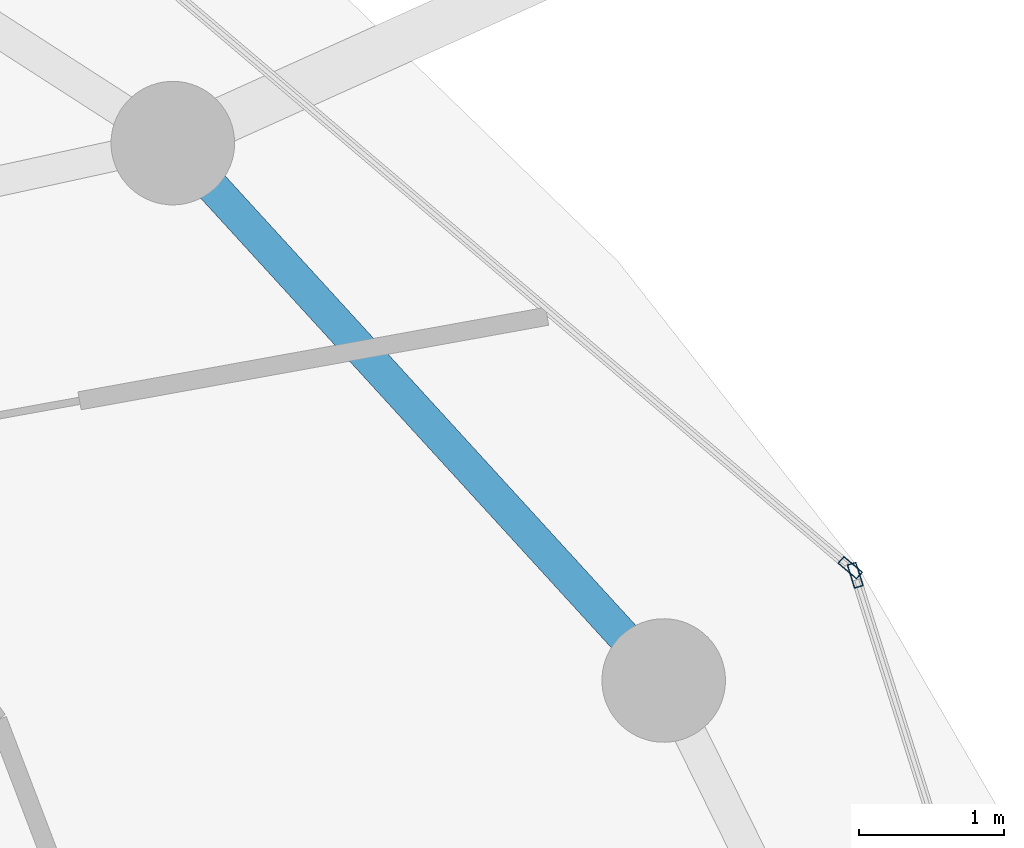
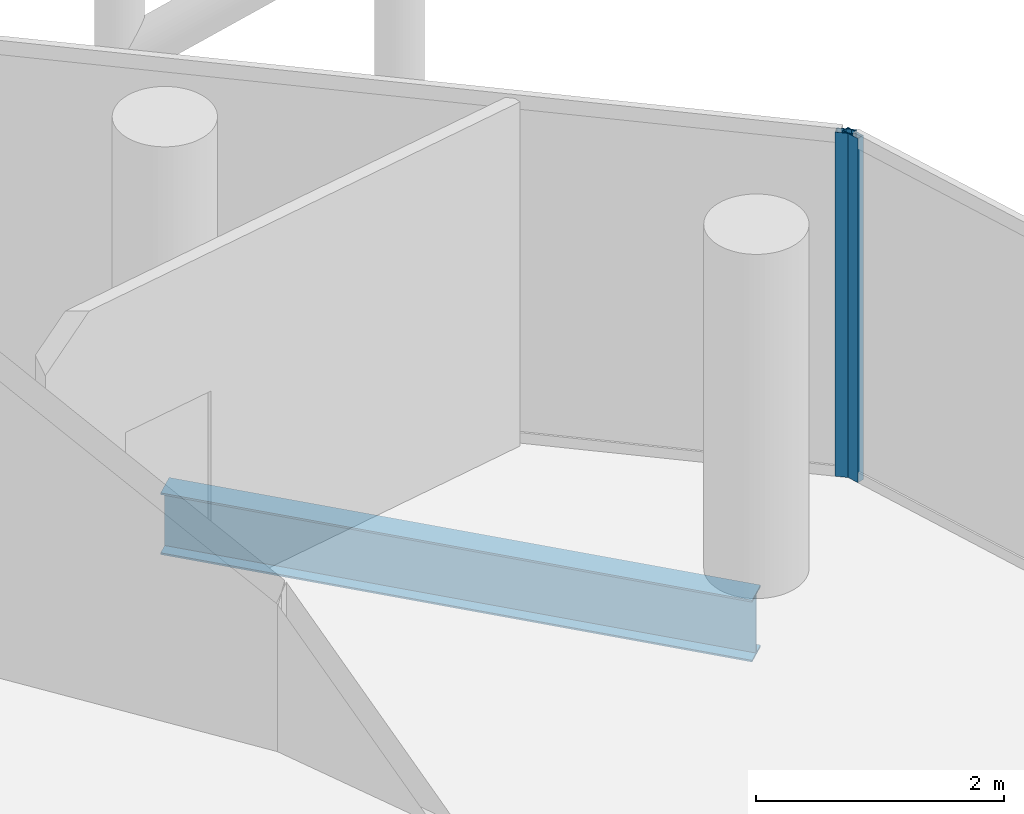
# One storey, part 17 of 27: 2 members, 1 beam, 2 elements without a shape of their own.
"""IFC4 building model written with IfcOpenShell, lengths in metres."""

from ifc_helpers import new_model, si_unit, direction, frame, origin, origin_2d, place, context, subcontext, project, spatial, hollow_rectangle, i_section, extrude, material, layer, layer_set, material_profile, profile_set, type_object, element, aggregate, save


model = new_model("IFC4")

# Units and contexts
model_context = context("Model", 3, precision=1e-05, world=origin(), true_north=direction((0.0, 1.0)))
body_context = subcontext(model_context, "Body", "Model", "MODEL_VIEW")
ifc_project = project(units=[si_unit("LENGTHUNIT", "METRE"), si_unit("AREAUNIT", "SQUARE_METRE"), si_unit("VOLUMEUNIT", "CUBIC_METRE"), si_unit("PLANEANGLEUNIT", "RADIAN"), si_unit("MASSUNIT", "GRAM", prefix="KILO")], contexts=[model_context])

# Site, building, storey
site_placement = place(None, origin())
site = spatial("IfcSite", under=ifc_project, at=site_placement, CompositionType="ELEMENT")
building_placement = place(site_placement, origin())
building = spatial("IfcBuilding", under=site, at=building_placement, Name="Nuhasar Tower", CompositionType="ELEMENT")
storey_placement = place(building_placement, frame((0.0, 0.0, 251.949951171875)))
storey = spatial("IfcBuildingStorey", under=building, at=storey_placement, Name="L62", CompositionType="ELEMENT", Elevation=251.949951171875)

# Beam
ifc_material_1 = material(Name="Steel S355", Category="steel")
ifc_material_profile_1 = material_profile(ifc_material_1, i_section(OverallWidth=0.22802734375, OverallDepth=0.60791015625, WebThickness=0.01123046875, FlangeThickness=0.017333984375, at=origin_2d()), Name="W24X76")
ifc_profile_set_1 = profile_set([ifc_material_profile_1], Name="Steel S355")
beam_type = type_object("IfcBeamType", Name="BM-RING-W24X76", PredefinedType="SPANDREL", material=ifc_profile_set_1)
beam_placement = place(storey_placement, frame((57.403076171875, 35.72509765625, -0.5439453125), z_axis=(-0.674449692975, 0.738320805373, 0.0), x_axis=(-0.738320805373, -0.674449692975, 0.0)))
element("IfcBeam", 1, at=beam_placement, inside=storey, type_object=beam_type, Name="L62 Perimeter Ring Spandrel 03", PredefinedType="SPANDREL", context=body_context, shape_type="SweptSolid", body=[
    extrude(i_section(OverallWidth=0.22802734375, OverallDepth=0.60791015625, WebThickness=0.01123046875, FlangeThickness=0.017333984375, at=origin_2d()), origin(), (0.0, 0.0, 1.0), 5.00732421875),
])

# Curtain wall, member
ifc_material_2 = material(Name="Aluminium 6063-T6", Category="aluminium")
ifc_layer = layer(ifc_material_2, 0.18994140625)
ifc_layer_set = layer_set([ifc_layer], Name="Aluminium 6063-T6")
curtain_wall_type = type_object("IfcCurtainWallType", Name="CW-Z3-RES", PredefinedType="NOTDEFINED", material=ifc_layer_set)
curtain_wall_1_placement = place(storey_placement, origin())
curtain_wall_1 = element("IfcCurtainWall", 2, at=curtain_wall_1_placement, inside=storey, type_object=curtain_wall_type, Name="L62 Unitised Curtain Wall 01", PredefinedType="NOTDEFINED")
ifc_material_profile_2 = material_profile(ifc_material_2, hollow_rectangle(XDim=0.06494140625, YDim=0.169921875, WallThickness=0.0048828125, at=origin_2d()), Name="CWM-4")
ifc_profile_set_2 = profile_set([ifc_material_profile_2], Name="Aluminium 6063-T6")
member_type = type_object("IfcMemberType", Name="CW-MUL-S4", PredefinedType="MULLION", material=ifc_profile_set_2)
member_1_placement = place(storey_placement, frame((58.720703125, 36.448974609375, 0.0), z_axis=(0.0, 0.0, 1.0), x_axis=(-0.95380429279, -0.30042864553, 0.0)))
member_1 = element("IfcMember", 3, at=member_1_placement, type_object=member_type, Name="CW-Z3 mullion 2", PredefinedType="MULLION", context=body_context, shape_type="SweptSolid", body=[
    extrude(hollow_rectangle(XDim=0.06494140625, YDim=0.169921875, WallThickness=0.0048828125, at=origin_2d()), origin(), (0.0, 0.0, 1.0), 3.39013671875),
])
aggregate(curtain_wall_1, [member_1])

curtain_wall_2_placement = place(storey_placement, origin())
curtain_wall_2 = element("IfcCurtainWall", 4, at=curtain_wall_2_placement, inside=storey, type_object=curtain_wall_type, Name="L62 Unitised Curtain Wall 02", PredefinedType="NOTDEFINED")
member_2_placement = place(storey_placement, frame((58.686279296875, 36.5009765625, 0.0), z_axis=(0.0, 0.0, 1.0), x_axis=(-0.64789521578, -0.761729472562, 0.0)))
member_2 = element("IfcMember", 5, at=member_2_placement, type_object=member_type, Name="CW-Z3 mullion 1", PredefinedType="MULLION", context=body_context, shape_type="SweptSolid", body=[
    extrude(hollow_rectangle(XDim=0.06494140625, YDim=0.169921875, WallThickness=0.0048828125, at=origin_2d()), origin(), (0.0, 0.0, 1.0), 3.39013671875),
])
aggregate(curtain_wall_2, [member_2])

save(model, "model.ifc")
